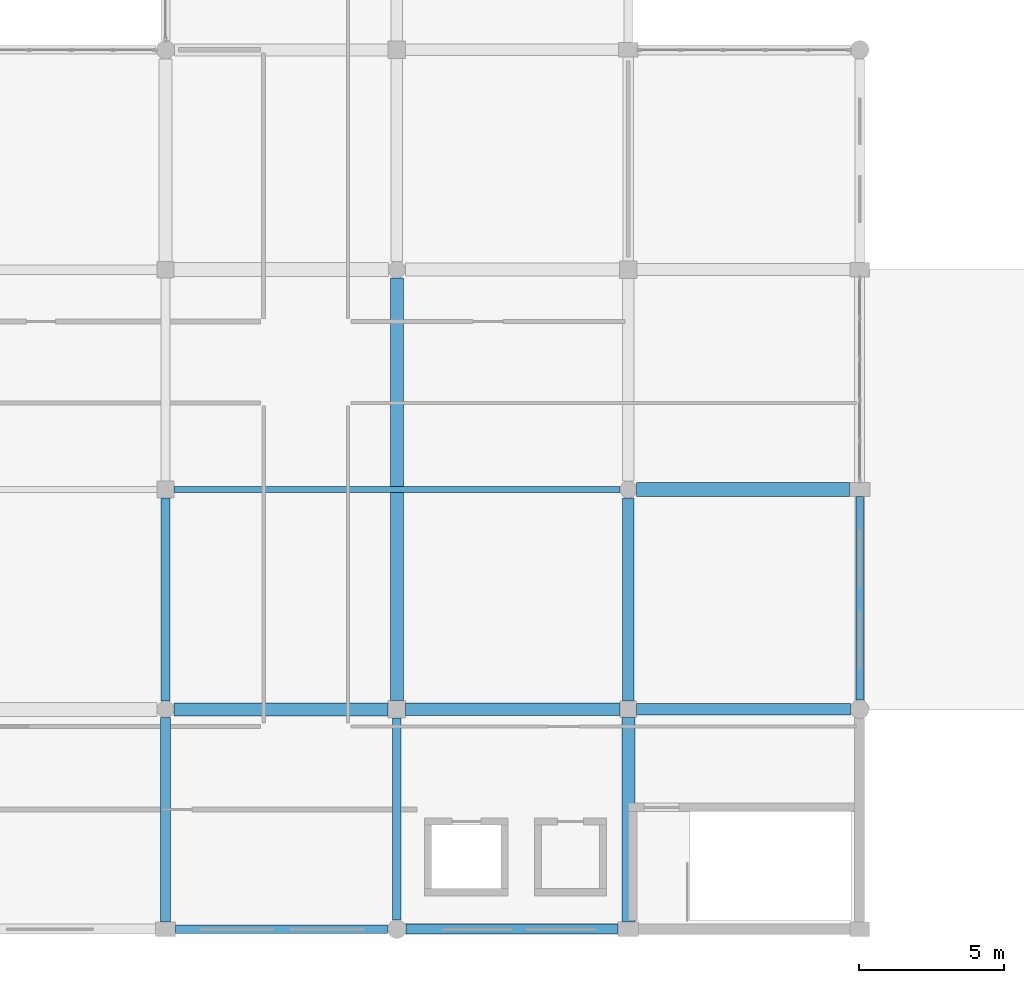
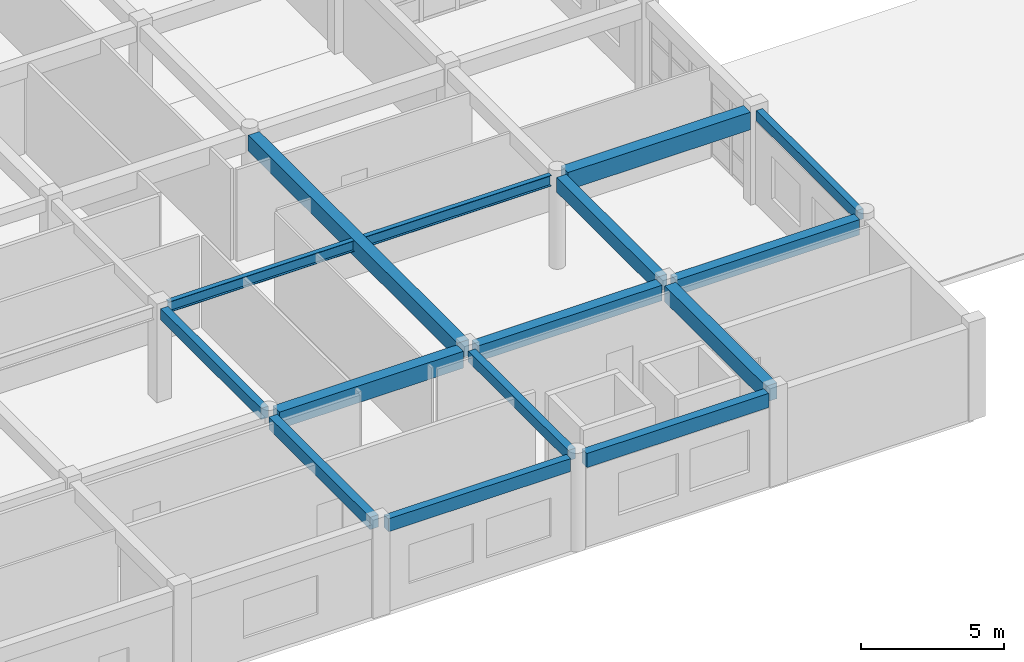
# One storey, part 19 of 121: 14 beams.
"""IFC4 building model written with IfcOpenShell, lengths in metres."""

from ifc_helpers import new_model, si_unit, direction, frame, origin, origin_2d, place, context, subcontext, project, spatial, rectangle, i_section, extrude, material, material_profile, profile_set, type_object, element, save


model = new_model("IFC4")

# Units and contexts
model_context = context("Model", 3, precision=1e-05, world=origin(), true_north=direction((0.0, 1.0)))
body_context = subcontext(model_context, "Body", "Model", "MODEL_VIEW")
ifc_project = project(units=[si_unit("LENGTHUNIT", "METRE"), si_unit("AREAUNIT", "SQUARE_METRE"), si_unit("VOLUMEUNIT", "CUBIC_METRE"), si_unit("PLANEANGLEUNIT", "RADIAN"), si_unit("MASSUNIT", "GRAM", prefix="KILO")], contexts=[model_context])

# Site, building, storey
site_placement = place(None, origin())
site = spatial("IfcSite", under=ifc_project, at=site_placement, CompositionType="ELEMENT")
building_placement = place(site_placement, origin())
building = spatial("IfcBuilding", under=site, at=building_placement, Name="Kharva Crest Polytechnic", CompositionType="ELEMENT")
storey_placement = place(building_placement, frame((0.0, 0.0, 13.199951171875)))
storey = spatial("IfcBuildingStorey", under=building, at=storey_placement, Name="L03", CompositionType="ELEMENT", Elevation=13.199951171875)

# Beams
ifc_material_1 = material(Name="Concrete C35/45", Category="concrete")
ifc_material_profile_1 = material_profile(ifc_material_1, rectangle(XDim=0.300048828125, YDim=0.449951171875, at=origin_2d()), Name="RECT 300 X 450")
ifc_profile_set_1 = profile_set([ifc_material_profile_1], Name="Concrete C35/45")
beam_type_1 = type_object("IfcBeamType", Name="BM-RC-300X450", PredefinedType="BEAM", material=ifc_profile_set_1)
beam_1_placement = place(storey_placement, frame((40.0, 0.320068359375, 3.735107421875), z_axis=(0.0, 1.0, 0.0), x_axis=(-1.0, 0.0, 0.0)))
element("IfcBeam", 1, at=beam_1_placement, inside=storey, type_object=beam_type_1, Name="L03 Girder 6/A-B", PredefinedType="BEAM", context=body_context, shape_type="SweptSolid", body=[
    extrude(rectangle(XDim=0.300048828125, YDim=0.449951171875, at=origin_2d()), origin(), (0.0, 0.0, 1.0), 6.97998046875),
])
ifc_material_profile_2 = material_profile(ifc_material_1, rectangle(XDim=0.300048828125, YDim=0.47998046875, at=origin_2d()), Name="RECT 300 X 480")
ifc_profile_set_2 = profile_set([ifc_material_profile_2], Name="Concrete C35/45")
beam_type_2 = type_object("IfcBeamType", Name="BM-RC-300X480", PredefinedType="BEAM", material=ifc_profile_set_2)
beam_2_placement = place(storey_placement, frame((32.0, 7.889892578125, 3.719970703125), z_axis=(0.0, 1.0, 0.0), x_axis=(-1.0, 0.0, 0.0)))
element("IfcBeam", 2, at=beam_2_placement, inside=storey, type_object=beam_type_2, Name="L03 Girder 5/B-C", PredefinedType="BEAM", context=body_context, shape_type="SweptSolid", body=[
    extrude(rectangle(XDim=0.300048828125, YDim=0.47998046875, at=origin_2d()), origin(), (0.0, 0.0, 1.0), 7.010009765625),
])
ifc_material_profile_3 = material_profile(ifc_material_1, rectangle(XDim=0.340087890625, YDim=0.52001953125, at=origin_2d()), Name="RECT 340 X 520")
ifc_profile_set_3 = profile_set([ifc_material_profile_3], Name="Concrete C35/45")
beam_type_3 = type_object("IfcBeamType", Name="BM-RC-340X520", PredefinedType="BEAM", material=ifc_profile_set_3)
beam_3_placement = place(storey_placement, frame((32.0, 0.25, 3.699951171875), z_axis=(0.0, 1.0, 0.0), x_axis=(-1.0, 0.0, 0.0)))
element("IfcBeam", 3, at=beam_3_placement, inside=storey, type_object=beam_type_3, Name="L03 Girder 5/A-B", PredefinedType="BEAM", context=body_context, shape_type="SweptSolid", body=[
    extrude(rectangle(XDim=0.340087890625, YDim=0.52001953125, at=origin_2d()), origin(), (0.0, 0.0, 1.0), 7.06005859375),
])
ifc_material_profile_4 = material_profile(ifc_material_1, rectangle(XDim=0.39990234375, YDim=0.6201171875, at=origin_2d()), Name="RECT 400 X 620")
ifc_profile_set_4 = profile_set([ifc_material_profile_4], Name="Concrete C35/45")
beam_type_4 = type_object("IfcBeamType", Name="BM-RC-400X620", PredefinedType="BEAM", material=ifc_profile_set_4)
beam_4_placement = place(storey_placement, frame((48.0, 7.889892578125, 3.650146484375), z_axis=(0.0, 1.0, 0.0), x_axis=(-1.0, 0.0, 0.0)))
element("IfcBeam", 4, at=beam_4_placement, inside=storey, type_object=beam_type_4, Name="L03 Girder 7/B-C", PredefinedType="BEAM", context=body_context, shape_type="SweptSolid", body=[
    extrude(rectangle(XDim=0.39990234375, YDim=0.6201171875, at=origin_2d()), origin(), (0.0, 0.0, 1.0), 7.02001953125),
])
ifc_material_profile_5 = material_profile(ifc_material_1, rectangle(XDim=0.39990234375, YDim=0.64990234375, at=origin_2d()), Name="RECT 400 X 650")
ifc_profile_set_5 = profile_set([ifc_material_profile_5], Name="Concrete C35/45")
beam_type_5 = type_object("IfcBeamType", Name="BM-RC-400X650", PredefinedType="BEAM", material=ifc_profile_set_5)
beam_5_placement = place(storey_placement, frame((48.2900390625, 7.60009765625, 3.635009765625), z_axis=(1.0, 0.0, 0.0), x_axis=(0.0, 1.0, 0.0)))
element("IfcBeam", 5, at=beam_5_placement, inside=storey, type_object=beam_type_5, Name="L03 Beam B/7-8", PredefinedType="BEAM", context=body_context, shape_type="SweptSolid", body=[
    extrude(rectangle(XDim=0.39990234375, YDim=0.64990234375, at=origin_2d()), origin(), (0.0, 0.0, 1.0), 7.389892578125),
])
ifc_material_profile_6 = material_profile(ifc_material_1, rectangle(XDim=0.419921875, YDim=0.659912109375, at=origin_2d()), Name="RECT 420 X 660")
ifc_profile_set_6 = profile_set([ifc_material_profile_6], Name="Concrete C35/45")
beam_type_6 = type_object("IfcBeamType", Name="BM-RC-420X660", PredefinedType="BEAM", material=ifc_profile_set_6)
beam_6_placement = place(storey_placement, frame((40.300048828125, 7.60009765625, 3.630126953125), z_axis=(1.0, 0.0, 0.0), x_axis=(0.0, 1.0, 0.0)))
element("IfcBeam", 6, at=beam_6_placement, inside=storey, type_object=beam_type_6, Name="L03 Beam B/6-7", PredefinedType="BEAM", context=body_context, shape_type="SweptSolid", body=[
    extrude(rectangle(XDim=0.419921875, YDim=0.659912109375, at=origin_2d()), origin(), (0.0, 0.0, 1.0), 7.409912109375),
])
ifc_material_profile_7 = material_profile(ifc_material_1, rectangle(XDim=0.449951171875, YDim=0.679931640625, at=origin_2d()), Name="RECT 450 X 680")
ifc_profile_set_7 = profile_set([ifc_material_profile_7], Name="Concrete C35/45")
beam_type_7 = type_object("IfcBeamType", Name="BM-RC-450X680", PredefinedType="BEAM", material=ifc_profile_set_7)
beam_7_placement = place(storey_placement, frame((40.0, 7.89990234375, 3.6201171875), z_axis=(0.0, 1.0, 0.0), x_axis=(-1.0, 0.0, 0.0)))
element("IfcBeam", 7, at=beam_7_placement, inside=storey, type_object=beam_type_7, Name="L03 Girder 6/B-D", PredefinedType="BEAM", context=body_context, shape_type="SweptSolid", body=[
    extrude(rectangle(XDim=0.449951171875, YDim=0.679931640625, at=origin_2d()), origin(), (0.0, 0.0, 1.0), 14.610107421875),
])
beam_8_placement = place(storey_placement, frame((48.0, 0.25, 3.6201171875), z_axis=(0.0, 1.0, 0.0), x_axis=(-1.0, 0.0, 0.0)))
element("IfcBeam", 8, at=beam_8_placement, inside=storey, type_object=beam_type_7, Name="L03 Girder 7/A-B", PredefinedType="BEAM", context=body_context, shape_type="SweptSolid", body=[
    extrude(rectangle(XDim=0.449951171875, YDim=0.679931640625, at=origin_2d()), origin(), (0.0, 0.0, 1.0), 7.06005859375),
])
ifc_material_profile_8 = material_profile(ifc_material_1, rectangle(XDim=0.449951171875, YDim=0.719970703125, at=origin_2d()), Name="RECT 450 X 720")
ifc_profile_set_8 = profile_set([ifc_material_profile_8], Name="Concrete C35/45")
beam_type_8 = type_object("IfcBeamType", Name="BM-RC-450X720", PredefinedType="BEAM", material=ifc_profile_set_8)
beam_9_placement = place(storey_placement, frame((32.2900390625, 7.60009765625, 3.60009765625), z_axis=(1.0, 0.0, 0.0), x_axis=(0.0, 1.0, 0.0)))
element("IfcBeam", 9, at=beam_9_placement, inside=storey, type_object=beam_type_8, Name="L03 Beam B/5-6", PredefinedType="BEAM", context=body_context, shape_type="SweptSolid", body=[
    extrude(rectangle(XDim=0.449951171875, YDim=0.719970703125, at=origin_2d()), origin(), (0.0, 0.0, 1.0), 7.409912109375),
])
ifc_material_profile_9 = material_profile(ifc_material_1, rectangle(XDim=0.47998046875, YDim=0.75, at=origin_2d()), Name="RECT 480 X 750")
ifc_profile_set_9 = profile_set([ifc_material_profile_9], Name="Concrete C35/45")
beam_type_9 = type_object("IfcBeamType", Name="BM-RC-480X750", PredefinedType="BEAM", material=ifc_profile_set_9)
beam_10_placement = place(storey_placement, frame((48.2900390625, 15.199951171875, 3.5849609375), z_axis=(1.0, 0.0, 0.0), x_axis=(0.0, 1.0, 0.0)))
element("IfcBeam", 10, at=beam_10_placement, inside=storey, type_object=beam_type_9, Name="L03 Beam C/7-8", PredefinedType="BEAM", context=body_context, shape_type="SweptSolid", body=[
    extrude(rectangle(XDim=0.47998046875, YDim=0.75, at=origin_2d()), origin(), (0.0, 0.0, 1.0), 7.35986328125),
])
ifc_material_2 = material(Name="Steel S355", Category="steel")
ifc_material_profile_10 = material_profile(ifc_material_2, i_section(OverallWidth=0.19091796875, OverallDepth=0.4599609375, WebThickness=0.010009765625, FlangeThickness=0.01611328125, at=origin_2d()), Name="W460X82")
ifc_profile_set_10 = profile_set([ifc_material_profile_10], Name="Steel S355")
beam_type_10 = type_object("IfcBeamType", Name="BM-STL-W460X82", PredefinedType="BEAM", material=ifc_profile_set_10)
beam_11_placement = place(storey_placement, frame((32.300048828125, 15.199951171875, 3.72998046875), z_axis=(1.0, 0.0, 0.0), x_axis=(0.0, 1.0, 0.0)))
element("IfcBeam", 11, at=beam_11_placement, inside=storey, type_object=beam_type_10, Name="L03 Beam C/5-7", PredefinedType="BEAM", context=body_context, shape_type="SweptSolid", body=[
    extrude(i_section(OverallWidth=0.19091796875, OverallDepth=0.4599609375, WebThickness=0.010009765625, FlangeThickness=0.01611328125, at=origin_2d()), origin(), (0.0, 0.0, 1.0), 15.409912109375),
])
ifc_material_profile_11 = material_profile(ifc_material_1, rectangle(XDim=0.260009765625, YDim=0.43994140625, at=origin_2d()), Name="RECT 260 X 440")
ifc_profile_set_11 = profile_set([ifc_material_profile_11], Name="Concrete C35/45")
beam_type_11 = type_object("IfcBeamType", Name="SP-RC-260X440", PredefinedType="SPANDREL", material=ifc_profile_set_11)
beam_12_placement = place(storey_placement, frame((56.0, 7.919921875, 3.739990234375), z_axis=(0.0, 1.0, 0.0), x_axis=(-1.0, 0.0, 0.0)))
element("IfcBeam", 12, at=beam_12_placement, inside=storey, type_object=beam_type_11, Name="L03 Girder 8/B-C", PredefinedType="SPANDREL", context=body_context, shape_type="SweptSolid", body=[
    extrude(rectangle(XDim=0.260009765625, YDim=0.43994140625, at=origin_2d()), origin(), (0.0, 0.0, 1.0), 7.030029296875),
])
ifc_material_profile_12 = material_profile(ifc_material_1, rectangle(XDim=0.300048828125, YDim=0.550048828125, at=origin_2d()), Name="RECT 300 X 550")
ifc_profile_set_12 = profile_set([ifc_material_profile_12], Name="Concrete C35/45")
beam_type_12 = type_object("IfcBeamType", Name="SP-RC-300X550", PredefinedType="SPANDREL", material=ifc_profile_set_12)
beam_13_placement = place(storey_placement, frame((32.340087890625, 0.0, 3.68505859375), z_axis=(1.0, 0.0, 0.0), x_axis=(0.0, 1.0, 0.0)))
element("IfcBeam", 13, at=beam_13_placement, inside=storey, type_object=beam_type_12, Name="L03 Beam A/5-6", PredefinedType="SPANDREL", context=body_context, shape_type="SweptSolid", body=[
    extrude(rectangle(XDim=0.300048828125, YDim=0.550048828125, at=origin_2d()), origin(), (0.0, 0.0, 1.0), 7.33984375),
])
ifc_material_profile_13 = material_profile(ifc_material_1, rectangle(XDim=0.340087890625, YDim=0.60009765625, at=origin_2d()), Name="RECT 340 X 600")
ifc_profile_set_13 = profile_set([ifc_material_profile_13], Name="Concrete C35/45")
beam_type_13 = type_object("IfcBeamType", Name="SP-RC-340X600", PredefinedType="SPANDREL", material=ifc_profile_set_13)
beam_14_placement = place(storey_placement, frame((40.320068359375, 0.0, 3.66015625), z_axis=(1.0, 0.0, 0.0), x_axis=(0.0, 1.0, 0.0)))
element("IfcBeam", 14, at=beam_14_placement, inside=storey, type_object=beam_type_13, Name="L03 Beam A/6-7", PredefinedType="SPANDREL", context=body_context, shape_type="SweptSolid", body=[
    extrude(rectangle(XDim=0.340087890625, YDim=0.60009765625, at=origin_2d()), origin(), (0.0, 0.0, 1.0), 7.329833984375),
])

save(model, "model.ifc")
